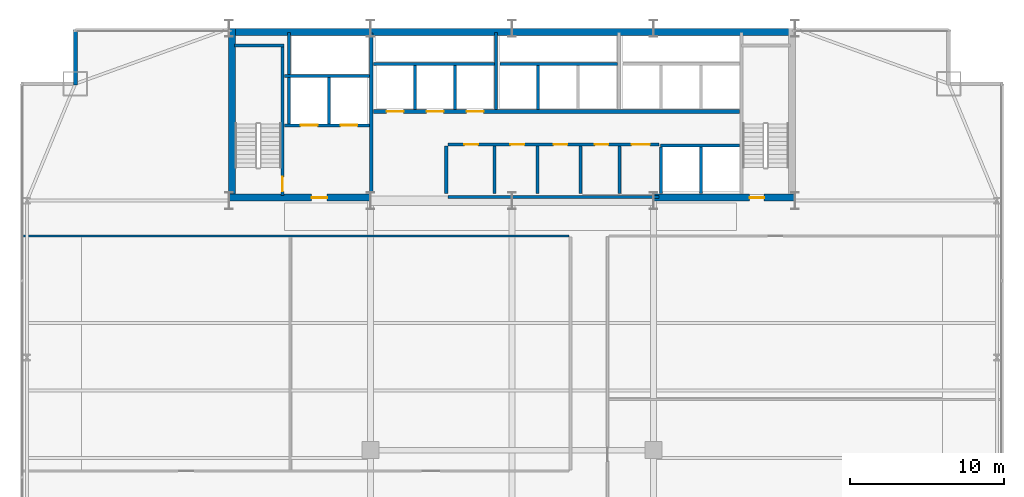
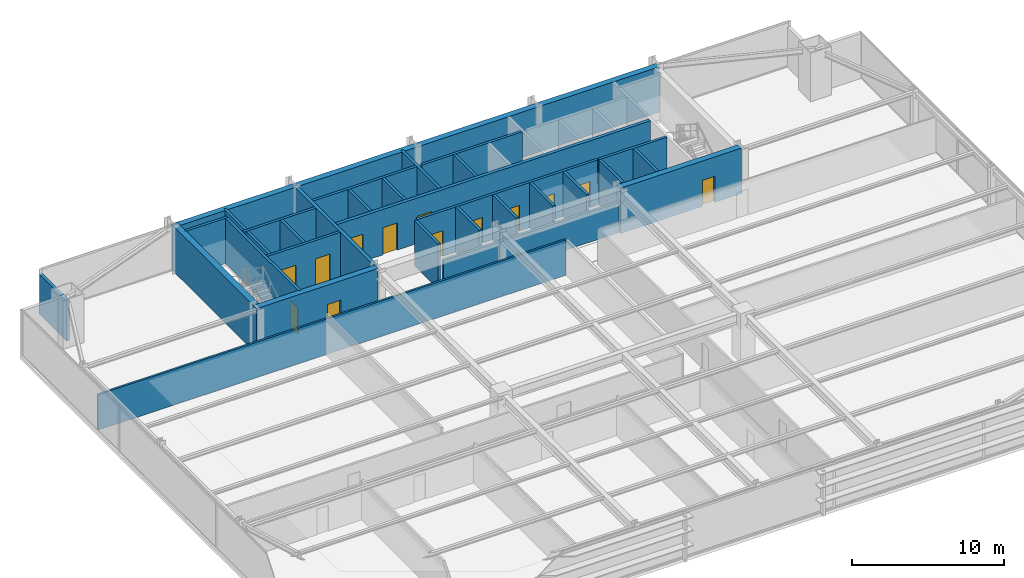
# One storey, part 27 of 30: 30 walls, 13 doors, 13 openings.
"""IFC4 building model written with IfcOpenShell, lengths in metres."""

from ifc_helpers import new_model, si_unit, direction, frame, frame_2d, origin, place, context, subcontext, project, spatial, rectangle, extrude, source, transform, mapped, material, layer, layer_set, type_object, type_shapes, element, fill, save


model = new_model("IFC4")

# Units and contexts
model_context = context("Model", 3, precision=1e-05, world=origin(), true_north=direction((0.0, 1.0)))
body_context = subcontext(model_context, "Body", "Model", "MODEL_VIEW")
ifc_project = project(units=[si_unit("LENGTHUNIT", "METRE"), si_unit("AREAUNIT", "SQUARE_METRE"), si_unit("VOLUMEUNIT", "CUBIC_METRE"), si_unit("PLANEANGLEUNIT", "RADIAN"), si_unit("MASSUNIT", "GRAM", prefix="KILO")], contexts=[model_context])

# Site, building, storey
site_placement = place(None, origin())
site = spatial("IfcSite", under=ifc_project, at=site_placement, CompositionType="ELEMENT")
building_placement = place(site_placement, origin())
building = spatial("IfcBuilding", under=site, at=building_placement, Name="Varnel Quay Broadcast Tower", CompositionType="ELEMENT")
storey_placement = place(building_placement, frame((0.0, 0.0, 62.699951171875)))
storey = spatial("IfcBuildingStorey", under=building, at=storey_placement, Name="L14", CompositionType="ELEMENT", Elevation=62.699951171875)

# Wall, opening, door
ifc_material_1 = material(Name="Concrete CSA A23.3 C50/60", Category="concrete")
ifc_layer_1 = layer(ifc_material_1, 0.199951171875, Name="Concrete CSA A23.3 C50/60")
ifc_layer_set_1 = layer_set([ifc_layer_1], Name="Concrete CSA A23.3 C50/60")
wall_type_1 = type_object("IfcWallType", Name="Wall_CoreShaftShear200", PredefinedType="SHEAR", material=ifc_layer_set_1)
wall_1_placement = place(storey_placement, frame((19.080078125, 35.949951171875, 0.0), z_axis=(0.0, 0.0, 1.0), x_axis=(0.0, 1.0, 0.0)))
wall_1 = element("IfcWall", 1, at=wall_1_placement, inside=storey, type_object=wall_type_1, Name="L14 Stair 1 East Structural Wall", PredefinedType="SHEAR", context=body_context, shape_type="SweptSolid", body=[
    extrude(rectangle(XDim=9.650146484375, YDim=0.199951171875, at=frame_2d((4.8251953125, 0.0))), origin(), (0.0, 0.0, 1.0), 3.650146484375),
])
opening_1_placement = place(wall_1_placement, frame((0.25, 0.0, 0.0)))
opening_1 = element("IfcOpeningElement", 2, at=opening_1_placement, cuts=wall_1, Name="Opening D-L14-S1", PredefinedType="OPENING", context=body_context, shape_type="SweptSolid", body=[
    extrude(rectangle(XDim=0.949951171875, YDim=2.10009765625, at=frame_2d((0.47509765625, 1.050048828125))), frame((0.0, 0.10986328125, 0.0), z_axis=(0.0, -1.0, 0.0), x_axis=(1.0, 0.0, 0.0)), (0.0, 0.0, 1.0), 0.219970703125),
])
ifc_material_2 = material(Name="Insulated Fire-Rated Hollow Steel Door", Category="steel")
door_type_1 = type_object("IfcDoorType", Name="Door_FireStair950", OperationType="NOTDEFINED", PredefinedType="DOOR", material=ifc_material_2)
shared_shape_1 = source(origin(), body_context, "Body", "SweptSolid", [
    extrude(rectangle(XDim=0.949951171875, YDim=2.10009765625, at=frame_2d((0.47509765625, 1.050048828125))), frame((0.0, 0.02490234375, 0.0), z_axis=(0.0, -1.0, 0.0), x_axis=(1.0, 0.0, 0.0)), (0.0, 0.0, 1.0), 0.050048828125),
])
type_shapes(door_type_1, [shared_shape_1])
door_1_placement = place(opening_1_placement, origin())
door_1 = element("IfcDoor", 3, at=door_1_placement, inside=storey, type_object=door_type_1, Name="L14 Stair 1 Fire Door", OperationType="SINGLE_SWING_LEFT", OverallHeight=2.10009765625, OverallWidth=0.949951171875, PredefinedType="DOOR", context=body_context, shape_type="MappedRepresentation", body=[
    mapped(shared_shape_1, transform((0.0, 0.0, 0.0), x_axis=(1.0, 0.0, 0.0), y_axis=(0.0, 1.0, 0.0), z_axis=(0.0, 0.0, 1.0), scale=1.0)),
])
fill(opening_1, door_1)

# Wall
wall_2_placement = place(storey_placement, frame((15.949951171875, 45.679931640625, 0.0), z_axis=(0.0, 0.0, 1.0), x_axis=(1.0, 0.0, 0.0)))
element("IfcWall", 4, at=wall_2_placement, inside=storey, type_object=wall_type_1, Name="L14 Stair 1 North Structural Wall", PredefinedType="SHEAR", context=body_context, shape_type="SweptSolid", body=[
    extrude(rectangle(XDim=3.22998046875, YDim=0.199951171875, at=frame_2d((1.614990234375, 0.0))), origin(), (0.0, 0.0, 1.0), 3.650146484375),
])

# Wall, openings, doors
wall_3_placement = place(storey_placement, frame((19.199951171875, 40.5, 0.0), z_axis=(0.0, 0.0, 1.0), x_axis=(1.0, 0.0, 0.0)))
wall_3 = element("IfcWall", 5, at=wall_3_placement, inside=storey, type_object=wall_type_1, Name="L14 Firefighter Lift Shaft Front Wall", PredefinedType="SHEAR", context=body_context, shape_type="SweptSolid", body=[
    extrude(rectangle(XDim=5.52001953125, YDim=0.199951171875, at=frame_2d((2.760009765625, 0.0))), origin(), (0.0, 0.0, 1.0), 3.650146484375),
])
opening_2_placement = place(wall_3_placement, frame((1.050048828125, 0.0, 0.0)))
opening_2 = element("IfcOpeningElement", 6, at=opening_2_placement, cuts=wall_3, Name="Opening LD-L14-FE1", PredefinedType="OPENING", context=body_context, shape_type="SweptSolid", body=[
    extrude(rectangle(XDim=1.10009765625, YDim=2.179931640625, at=frame_2d((0.550048828125, 1.08984375))), frame((0.0, 0.10986328125, 0.0), z_axis=(0.0, -1.0, 0.0), x_axis=(1.0, 0.0, 0.0)), (0.0, 0.0, 1.0), 0.219970703125),
])
opening_3_placement = place(wall_3_placement, frame((3.64990234375, 0.0, 0.0)))
opening_3 = element("IfcOpeningElement", 7, at=opening_3_placement, cuts=wall_3, Name="Opening LD-L14-FE2", PredefinedType="OPENING", context=body_context, shape_type="SweptSolid", body=[
    extrude(rectangle(XDim=1.10009765625, YDim=2.179931640625, at=frame_2d((0.550048828125, 1.08984375))), frame((0.0, 0.10986328125, 0.0), z_axis=(0.0, -1.0, 0.0), x_axis=(1.0, 0.0, 0.0)), (0.0, 0.0, 1.0), 0.219970703125),
])
ifc_material_3 = material(Name="Brushed Bronze-Stainless Lift Car & Sliding Doors", Category="steel")
door_type_2 = type_object("IfcDoorType", Name="Door_LiftLanding1100", OperationType="SLIDING_TO_LEFT", PredefinedType="DOOR", material=ifc_material_3)
shared_shape_2 = source(origin(), body_context, "Body", "SweptSolid", [
    extrude(rectangle(XDim=1.10009765625, YDim=2.179931640625, at=frame_2d((0.550048828125, 1.08984375))), frame((0.0, 0.02490234375, 0.0), z_axis=(0.0, -1.0, 0.0), x_axis=(1.0, 0.0, 0.0)), (0.0, 0.0, 1.0), 0.050048828125),
])
type_shapes(door_type_2, [shared_shape_2])
door_2_placement = place(opening_2_placement, frame((1.10009765625, 0.0, 0.0), z_axis=(0.0, 0.0, 1.0), x_axis=(-1.0, 0.0, 0.0)))
door_2 = element("IfcDoor", 8, at=door_2_placement, inside=storey, type_object=door_type_2, Name="L14 Firefighter Lift FE-01 Landing Door", OperationType="SLIDING_TO_LEFT", OverallHeight=2.179931640625, OverallWidth=1.10009765625, PredefinedType="DOOR", context=body_context, shape_type="MappedRepresentation", body=[
    mapped(shared_shape_2, transform((0.0, 0.0, 0.0), x_axis=(1.0, 0.0, 0.0), y_axis=(0.0, 1.0, 0.0), z_axis=(0.0, 0.0, 1.0), scale=1.0)),
])
fill(opening_2, door_2)
door_3_placement = place(opening_3_placement, frame((1.10009765625, 0.0, 0.0), z_axis=(0.0, 0.0, 1.0), x_axis=(-1.0, 0.0, 0.0)))
door_3 = element("IfcDoor", 9, at=door_3_placement, inside=storey, type_object=door_type_2, Name="L14 Firefighter Lift FE-02 Landing Door", OperationType="SLIDING_TO_RIGHT", OverallHeight=2.179931640625, OverallWidth=1.10009765625, PredefinedType="DOOR", context=body_context, shape_type="MappedRepresentation", body=[
    mapped(shared_shape_2, transform((0.0, 0.0, 0.0), x_axis=(1.0, 0.0, 0.0), y_axis=(0.0, 1.0, 0.0), z_axis=(0.0, 0.0, 1.0), scale=1.0)),
])
fill(opening_3, door_3)

# Walls
wall_4_placement = place(storey_placement, frame((19.199951171875, 43.699951171875, 0.0), z_axis=(0.0, 0.0, 1.0), x_axis=(1.0, 0.0, 0.0)))
element("IfcWall", 10, at=wall_4_placement, inside=storey, type_object=wall_type_1, Name="L14 Firefighter Lift Shaft Rear Wall", PredefinedType="SHEAR", context=body_context, shape_type="SweptSolid", body=[
    extrude(rectangle(XDim=5.52001953125, YDim=0.199951171875, at=frame_2d((2.760009765625, 0.0))), origin(), (0.0, 0.0, 1.0), 3.650146484375),
])
wall_5_placement = place(storey_placement, frame((22.10009765625, 40.60009765625, 0.0), z_axis=(0.0, 0.0, 1.0), x_axis=(0.0, 1.0, 0.0)))
element("IfcWall", 11, at=wall_5_placement, inside=storey, type_object=wall_type_1, Name="L14 Firefighter Lift Shaft Divider", PredefinedType="SHEAR", context=body_context, shape_type="SweptSolid", body=[
    extrude(rectangle(XDim=3.0, YDim=0.199951171875, at=frame_2d((1.5, 0.0))), origin(), (0.0, 0.0, 1.0), 3.650146484375),
])
wall_6_placement = place(storey_placement, frame((19.5, 40.60009765625, 0.0), z_axis=(0.0, 0.0, 1.0), x_axis=(0.0, 1.0, 0.0)))
element("IfcWall", 12, at=wall_6_placement, inside=storey, type_object=wall_type_1, Name="L14 Firefighter Lift Shaft West Wall", PredefinedType="SHEAR", context=body_context, shape_type="SweptSolid", body=[
    extrude(rectangle(XDim=5.949951171875, YDim=0.199951171875, at=frame_2d((2.97509765625, 0.0))), origin(), (0.0, 0.0, 1.0), 3.650146484375),
])
wall_7_placement = place(storey_placement, frame((24.97998046875, 44.5, 0.0), z_axis=(0.0, 0.0, 1.0), x_axis=(1.0, 0.0, 0.0)))
element("IfcWall", 13, at=wall_7_placement, inside=storey, type_object=wall_type_1, Name="L14 Low-Rise Lift Shaft Rear Wall", PredefinedType="SHEAR", context=body_context, shape_type="SweptSolid", body=[
    extrude(rectangle(XDim=7.8701171875, YDim=0.199951171875, at=frame_2d((3.93505859375, 0.0))), origin(), (0.0, 0.0, 1.0), 3.650146484375),
])
for number, where, z_axis, x_axis, name in (
    (14, (27.699951171875, 41.530029296875, 0.0), (0.0, 0.0, 1.0), (0.0, 1.0, 0.0), "L14 Low-Rise Lift Shaft Divider 1"),
    (15, (30.300048828125, 41.530029296875, 0.0), (0.0, 0.0, 1.0), (0.0, 1.0, 0.0), "L14 Low-Rise Lift Shaft Divider 2"),
):
    element("IfcWall", number, at=place(storey_placement, frame(where, z_axis=z_axis, x_axis=x_axis)), inside=storey, type_object=wall_type_1, Name=name, PredefinedType="SHEAR", context=body_context, shape_type="SweptSolid", body=[
        extrude(rectangle(XDim=2.869873046875, YDim=0.199951171875, at=frame_2d((1.43505859375, 0.0))), origin(), (0.0, 0.0, 1.0), 3.650146484375),
    ])
wall_8_placement = place(storey_placement, frame((32.949951171875, 41.530029296875, 0.0), z_axis=(0.0, 0.0, 1.0), x_axis=(0.0, 1.0, 0.0)))
element("IfcWall", 16, at=wall_8_placement, inside=storey, type_object=wall_type_1, Name="L14 Low-Rise Lift Shaft Divider 3", PredefinedType="SHEAR", context=body_context, shape_type="SweptSolid", body=[
    extrude(rectangle(XDim=5.02001953125, YDim=0.199951171875, at=frame_2d((2.510009765625, 0.0))), origin(), (0.0, 0.0, 1.0), 3.650146484375),
])
wall_9_placement = place(storey_placement, frame((33.219970703125, 44.5, 0.0), z_axis=(0.0, 0.0, 1.0), x_axis=(1.0, 0.0, 0.0)))
element("IfcWall", 17, at=wall_9_placement, inside=storey, type_object=wall_type_1, Name="L14 Mid-Rise Lift Shaft Rear Wall", PredefinedType="SHEAR", context=body_context, shape_type="SweptSolid", body=[
    extrude(rectangle(XDim=7.630126953125, YDim=0.199951171875, at=frame_2d((3.81494140625, 0.0))), origin(), (0.0, 0.0, 1.0), 3.650146484375),
])
wall_10_placement = place(storey_placement, frame((35.699951171875, 41.530029296875, 0.0), z_axis=(0.0, 0.0, 1.0), x_axis=(0.0, 1.0, 0.0)))
element("IfcWall", 18, at=wall_10_placement, inside=storey, type_object=wall_type_1, Name="L14 Mid-Rise Lift Shaft Divider 2", PredefinedType="SHEAR", context=body_context, shape_type="SweptSolid", body=[
    extrude(rectangle(XDim=2.869873046875, YDim=0.199951171875, at=frame_2d((1.43505859375, 0.0))), origin(), (0.0, 0.0, 1.0), 3.650146484375),
])
for number, where, z_axis, x_axis, name in (
    (19, (43.699951171875, 36.050048828125, 0.0), (0.0, 0.0, 1.0), (0.0, 1.0, 0.0), "L14 Express Lift Shaft West Wall"),
    (20, (46.300048828125, 36.050048828125, 0.0), (0.0, 0.0, 1.0), (0.0, 1.0, 0.0), "L14 Express Lift Shaft Divider"),
):
    element("IfcWall", number, at=place(storey_placement, frame(where, z_axis=z_axis, x_axis=x_axis)), inside=storey, type_object=wall_type_1, Name=name, PredefinedType="SHEAR", context=body_context, shape_type="SweptSolid", body=[
        extrude(rectangle(XDim=3.050048828125, YDim=0.199951171875, at=frame_2d((1.52490234375, 0.0))), origin(), (0.0, 0.0, 1.0), 3.650146484375),
    ])
wall_11_placement = place(storey_placement, frame((43.64990234375, 39.199951171875, 0.0), z_axis=(0.0, 0.0, 1.0), x_axis=(1.0, 0.0, 0.0)))
element("IfcWall", 21, at=wall_11_placement, inside=storey, type_object=wall_type_1, Name="L14 Express Lift Shaft North Front Wall", PredefinedType="SHEAR", context=body_context, shape_type="SweptSolid", body=[
    extrude(rectangle(XDim=5.150146484375, YDim=0.199951171875, at=frame_2d((2.5751953125, 0.0))), origin(), (0.0, 0.0, 1.0), 3.650146484375),
])
ifc_layer_2 = layer(ifc_material_1, 0.25, Name="Concrete CSA A23.3 C50/60")
ifc_layer_set_2 = layer_set([ifc_layer_2], Name="Concrete CSA A23.3 C50/60")
wall_type_2 = type_object("IfcWallType", Name="Wall_CoreShaftShear250", PredefinedType="SHEAR", material=ifc_layer_set_2)
wall_12_placement = place(storey_placement, frame((24.85009765625, 36.050048828125, 0.0), z_axis=(0.0, 0.0, 1.0), x_axis=(0.0, 1.0, 0.0)))
element("IfcWall", 22, at=wall_12_placement, inside=storey, type_object=wall_type_2, Name="L14 Firefighting Lobby East Structural Wall", PredefinedType="SHEAR", context=body_context, shape_type="SweptSolid", body=[
    extrude(rectangle(XDim=10.449951171875, YDim=0.25, at=frame_2d((5.22509765625, 0.0))), origin(), (0.0, 0.0, 1.0), 3.650146484375),
])

# Wall, openings, doors
wall_13_placement = place(storey_placement, frame((24.97998046875, 41.39990234375, 0.0), z_axis=(0.0, 0.0, 1.0), x_axis=(1.0, 0.0, 0.0)))
wall_13 = element("IfcWall", 23, at=wall_13_placement, inside=storey, type_object=wall_type_2, Name="L14 North Lift Bank & Reclaimed Suite Wall", PredefinedType="SHEAR", context=body_context, shape_type="SweptSolid", body=[
    extrude(rectangle(XDim=23.820068359375, YDim=0.25, at=frame_2d((11.91015625, 0.0))), origin(), (0.0, 0.0, 1.0), 3.650146484375),
])
opening_4_placement = place(wall_13_placement, frame((0.8701171875, 0.0, 0.0)))
opening_4 = element("IfcOpeningElement", 24, at=opening_4_placement, cuts=wall_13, Name="Opening LD-L14-PL-01", PredefinedType="OPENING", context=body_context, shape_type="SweptSolid", body=[
    extrude(rectangle(XDim=1.10009765625, YDim=2.179931640625, at=frame_2d((0.550048828125, 1.08984375))), frame((0.0, 0.135009765625, 0.0), z_axis=(0.0, -1.0, 0.0), x_axis=(1.0, 0.0, 0.0)), (0.0, 0.0, 1.0), 0.27001953125),
])
opening_5_placement = place(wall_13_placement, frame((3.469970703125, 0.0, 0.0)))
opening_5 = element("IfcOpeningElement", 25, at=opening_5_placement, cuts=wall_13, Name="Opening LD-L14-PL-02", PredefinedType="OPENING", context=body_context, shape_type="SweptSolid", body=[
    extrude(rectangle(XDim=1.10009765625, YDim=2.179931640625, at=frame_2d((0.550048828125, 1.08984375))), frame((0.0, 0.135009765625, 0.0), z_axis=(0.0, -1.0, 0.0), x_axis=(1.0, 0.0, 0.0)), (0.0, 0.0, 1.0), 0.27001953125),
])
opening_6_placement = place(wall_13_placement, frame((6.070068359375, 0.0, 0.0)))
opening_6 = element("IfcOpeningElement", 26, at=opening_6_placement, cuts=wall_13, Name="Opening LD-L14-PL-03", PredefinedType="OPENING", context=body_context, shape_type="SweptSolid", body=[
    extrude(rectangle(XDim=1.10009765625, YDim=2.179931640625, at=frame_2d((0.550048828125, 1.08984375))), frame((0.0, 0.135009765625, 0.0), z_axis=(0.0, -1.0, 0.0), x_axis=(1.0, 0.0, 0.0)), (0.0, 0.0, 1.0), 0.27001953125),
])
door_4_placement = place(opening_4_placement, frame((1.10009765625, 0.0, 0.0), z_axis=(0.0, 0.0, 1.0), x_axis=(-1.0, 0.0, 0.0)))
door_4 = element("IfcDoor", 27, at=door_4_placement, inside=storey, type_object=door_type_2, Name="L14 Lift PL-01 Landing Door", OperationType="SLIDING_TO_LEFT", OverallHeight=2.179931640625, OverallWidth=1.10009765625, PredefinedType="DOOR", context=body_context, shape_type="MappedRepresentation", body=[
    mapped(shared_shape_2, transform((0.0, 0.0, 0.0), x_axis=(1.0, 0.0, 0.0), y_axis=(0.0, 1.0, 0.0), z_axis=(0.0, 0.0, 1.0), scale=1.0)),
])
fill(opening_4, door_4)
door_5_placement = place(opening_5_placement, frame((1.10009765625, 0.0, 0.0), z_axis=(0.0, 0.0, 1.0), x_axis=(-1.0, 0.0, 0.0)))
door_5 = element("IfcDoor", 28, at=door_5_placement, inside=storey, type_object=door_type_2, Name="L14 Lift PL-02 Landing Door", OperationType="SLIDING_TO_LEFT", OverallHeight=2.179931640625, OverallWidth=1.10009765625, PredefinedType="DOOR", context=body_context, shape_type="MappedRepresentation", body=[
    mapped(shared_shape_2, transform((0.0, 0.0, 0.0), x_axis=(1.0, 0.0, 0.0), y_axis=(0.0, 1.0, 0.0), z_axis=(0.0, 0.0, 1.0), scale=1.0)),
])
fill(opening_5, door_5)
door_6_placement = place(opening_6_placement, frame((1.10009765625, 0.0, 0.0), z_axis=(0.0, 0.0, 1.0), x_axis=(-1.0, 0.0, 0.0)))
door_6 = element("IfcDoor", 29, at=door_6_placement, inside=storey, type_object=door_type_2, Name="L14 Lift PL-03 Landing Door", OperationType="SLIDING_TO_LEFT", OverallHeight=2.179931640625, OverallWidth=1.10009765625, PredefinedType="DOOR", context=body_context, shape_type="MappedRepresentation", body=[
    mapped(shared_shape_2, transform((0.0, 0.0, 0.0), x_axis=(1.0, 0.0, 0.0), y_axis=(0.0, 1.0, 0.0), z_axis=(0.0, 0.0, 1.0), scale=1.0)),
])
fill(opening_6, door_6)

# Walls
ifc_material_4 = material(Name="Concrete CSA A23.3 C60/75", Category="concrete")
ifc_layer_3 = layer(ifc_material_4, 0.449951171875, Name="Concrete CSA A23.3 C60/75")
ifc_layer_set_3 = layer_set([ifc_layer_3], Name="Concrete CSA A23.3 C60/75")
wall_type_3 = type_object("IfcWallType", Name="Wall_CoreShearExt450", PredefinedType="SHEAR", material=ifc_layer_set_3)
wall_14_placement = place(storey_placement, frame((15.60009765625, 46.574951171875, 0.0), z_axis=(0.0, 0.0, 1.0), x_axis=(1.0, 0.0, 0.0)))
element("IfcWall", 30, at=wall_14_placement, inside=storey, type_object=wall_type_3, Name="L14 North Core Shear Wall", PredefinedType="SHEAR", context=body_context, shape_type="SweptSolid", body=[
    extrude(rectangle(XDim=36.7998046875, YDim=0.449951171875, at=frame_2d((18.39990234375, 0.0))), origin(), (0.0, 0.0, 1.0), 3.650146484375),
])
ifc_layer_4 = layer(ifc_material_4, 0.449951171875, Name="Concrete CSA A23.3 C60/75")
ifc_layer_set_4 = layer_set([ifc_layer_4], Name="Concrete CSA A23.3 C60/75")
wall_type_4 = type_object("IfcWallType", Name="Wall_CoreShearInt450", PredefinedType="SHEAR", material=ifc_layer_set_4)
wall_15_placement = place(storey_placement, frame((15.794921875, 35.570068359375, 0.0), z_axis=(0.0, 0.0, 1.0), x_axis=(0.0, 1.0, 0.0)))
element("IfcWall", 31, at=wall_15_placement, inside=storey, type_object=wall_type_4, Name="L14 West Core Shear Wall", PredefinedType="SHEAR", context=body_context, shape_type="SweptSolid", body=[
    extrude(rectangle(XDim=11.22998046875, YDim=0.449951171875, at=frame_2d((5.614990234375, 0.0))), origin(), (0.0, 0.0, 1.0), 3.650146484375),
])

# Wall, opening, door
wall_16_placement = place(storey_placement, frame((15.570068359375, 35.794921875, 0.0), z_axis=(0.0, 0.0, 1.0), x_axis=(1.0, 0.0, 0.0)))
wall_16 = element("IfcWall", 32, at=wall_16_placement, inside=storey, type_object=wall_type_4, Name="L14 South-West Core Shear Wall", PredefinedType="SHEAR", context=body_context, shape_type="SweptSolid", body=[
    extrude(rectangle(XDim=9.22998046875, YDim=0.449951171875, at=frame_2d((4.614990234375, 0.0))), origin(), (0.0, 0.0, 1.0), 3.650146484375),
])
opening_7_placement = place(wall_16_placement, frame((5.39990234375, 0.0, 0.0)))
opening_7 = element("IfcOpeningElement", 33, at=opening_7_placement, cuts=wall_16, Name="Opening D-L14-FFL", PredefinedType="OPENING", context=body_context, shape_type="SweptSolid", body=[
    extrude(rectangle(XDim=1.0, YDim=2.10009765625, at=frame_2d((0.5, 1.050048828125))), frame((0.0, 0.23486328125, 0.0), z_axis=(0.0, -1.0, 0.0), x_axis=(1.0, 0.0, 0.0)), (0.0, 0.0, 1.0), 0.469970703125),
])
door_type_3 = type_object("IfcDoorType", Name="Door_FireLobby1000", OperationType="NOTDEFINED", PredefinedType="DOOR", material=ifc_material_2)
shared_shape_3 = source(origin(), body_context, "Body", "SweptSolid", [
    extrude(rectangle(XDim=1.0, YDim=2.10009765625, at=frame_2d((0.5, 1.050048828125))), frame((0.0, 0.02490234375, 0.0), z_axis=(0.0, -1.0, 0.0), x_axis=(1.0, 0.0, 0.0)), (0.0, 0.0, 1.0), 0.050048828125),
])
type_shapes(door_type_3, [shared_shape_3])
door_7_placement = place(opening_7_placement, origin())
door_7 = element("IfcDoor", 34, at=door_7_placement, inside=storey, type_object=door_type_3, Name="L14 Firefighting Lobby Door", OperationType="SINGLE_SWING_RIGHT", OverallHeight=2.10009765625, OverallWidth=1.0, PredefinedType="DOOR", context=body_context, shape_type="MappedRepresentation", body=[
    mapped(shared_shape_3, transform((0.0, 0.0, 0.0), x_axis=(1.0, 0.0, 0.0), y_axis=(0.0, 1.0, 0.0), z_axis=(0.0, 0.0, 1.0), scale=1.0)),
])
fill(opening_7, door_7)

wall_17_placement = place(storey_placement, frame((43.199951171875, 35.794921875, 0.0), z_axis=(0.0, 0.0, 1.0), x_axis=(1.0, 0.0, 0.0)))
wall_17 = element("IfcWall", 35, at=wall_17_placement, inside=storey, type_object=wall_type_4, Name="L14 South-East Core Shear Wall", PredefinedType="SHEAR", context=body_context, shape_type="SweptSolid", body=[
    extrude(rectangle(XDim=9.22998046875, YDim=0.449951171875, at=frame_2d((4.614990234375, 0.0))), origin(), (0.0, 0.0, 1.0), 3.650146484375),
])
opening_8_placement = place(wall_17_placement, frame((6.25, 0.0, 0.0)))
opening_8 = element("IfcOpeningElement", 36, at=opening_8_placement, cuts=wall_17, Name="Opening D-L14-S2", PredefinedType="OPENING", context=body_context, shape_type="SweptSolid", body=[
    extrude(rectangle(XDim=0.949951171875, YDim=2.10009765625, at=frame_2d((0.47509765625, 1.050048828125))), frame((0.0, 0.23486328125, 0.0), z_axis=(0.0, -1.0, 0.0), x_axis=(1.0, 0.0, 0.0)), (0.0, 0.0, 1.0), 0.469970703125),
])
door_8_placement = place(opening_8_placement, origin())
door_8 = element("IfcDoor", 37, at=door_8_placement, inside=storey, type_object=door_type_1, Name="L14 Stair 2 Fire Door", OperationType="SINGLE_SWING_LEFT", OverallHeight=2.10009765625, OverallWidth=0.949951171875, PredefinedType="DOOR", context=body_context, shape_type="MappedRepresentation", body=[
    mapped(shared_shape_1, transform((0.0, 0.0, 0.0), x_axis=(1.0, 0.0, 0.0), y_axis=(0.0, 1.0, 0.0), z_axis=(0.0, 0.0, 1.0), scale=1.0)),
])
fill(opening_8, door_8)

# Walls
ifc_material_5 = material(Name="Precast Architectural Concrete C40/50", Category="concrete")
ifc_layer_5 = layer(ifc_material_5, 0.25, Name="Precast Architectural Concrete C40/50")
ifc_layer_set_5 = layer_set([ifc_layer_5], Name="Precast Architectural Concrete C40/50")
wall_type_5 = type_object("IfcWallType", Name="Wall_ExtTerrace250", PredefinedType="SOLIDWALL", material=ifc_layer_set_5)
wall_18_placement = place(storey_placement, frame((5.60009765625, 43.1201171875, 0.0), z_axis=(0.0, 0.0, 1.0), x_axis=(0.0, 1.0, 0.0)))
element("IfcWall", 38, at=wall_18_placement, inside=storey, type_object=wall_type_5, Name="L14 Mega-Column Notch Cladding Wall NNW2", PredefinedType="SOLIDWALL", context=body_context, shape_type="SweptSolid", body=[
    extrude(rectangle(XDim=3.599853515625, YDim=0.25, at=frame_2d((1.7998046875, 0.0))), origin(), (0.0, 0.0, 1.0), 3.2080078125),
])
ifc_material_6 = material(Name="Concrete Blockwork Fire Enclosure C40/50", Category="masonry")
ifc_layer_6 = layer(ifc_material_6, 0.199951171875, Name="Concrete Blockwork Fire Enclosure C40/50")
ifc_layer_set_6 = layer_set([ifc_layer_6], Name="Concrete Blockwork Fire Enclosure C40/50")
wall_type_6 = type_object("IfcWallType", Name="Wall_FireShaft200", PredefinedType="SOLIDWALL", material=ifc_layer_set_6)
wall_19_placement = place(storey_placement, frame((29.85009765625, 35.824951171875, 0.0), z_axis=(0.0, 0.0, 1.0), x_axis=(1.0, 0.0, 0.0)))
element("IfcWall", 39, at=wall_19_placement, inside=storey, type_object=wall_type_6, Name="L14 Accessible Washroom Partition 1", PredefinedType="SOLIDWALL", context=body_context, shape_type="SweptSolid", body=[
    extrude(rectangle(XDim=13.699951171875, YDim=0.199951171875, at=frame_2d((6.85009765625, 0.0))), origin(), (0.0, 0.0, 1.0), 2.425048828125),
])

# Wall, openings, doors
wall_20_placement = place(storey_placement, frame((29.85009765625, 39.25, 0.0), z_axis=(0.0, 0.0, 1.0), x_axis=(1.0, 0.0, 0.0)))
wall_20 = element("IfcWall", 40, at=wall_20_placement, inside=storey, type_object=wall_type_6, Name="L14 Accessible Washroom Partition 3", PredefinedType="SOLIDWALL", context=body_context, shape_type="SweptSolid", body=[
    extrude(rectangle(XDim=13.699951171875, YDim=0.199951171875, at=frame_2d((6.85009765625, 0.0))), origin(), (0.0, 0.0, 1.0), 3.630126953125),
])
opening_9_placement = place(wall_20_placement, frame((1.050048828125, 0.0, 0.0)))
opening_9 = element("IfcOpeningElement", 41, at=opening_9_placement, cuts=wall_20, Name="Opening D-L14-01", PredefinedType="OPENING", context=body_context, shape_type="SweptSolid", body=[
    extrude(rectangle(XDim=0.89990234375, YDim=2.06005859375, at=frame_2d((0.449951171875, 1.030029296875))), frame((0.0, 0.10986328125, 0.0), z_axis=(0.0, -1.0, 0.0), x_axis=(1.0, 0.0, 0.0)), (0.0, 0.0, 1.0), 0.219970703125),
])
opening_10_placement = place(wall_20_placement, frame((4.050048828125, 0.0, 0.0)))
opening_10 = element("IfcOpeningElement", 42, at=opening_10_placement, cuts=wall_20, Name="Opening D-L14-02", PredefinedType="OPENING", context=body_context, shape_type="SweptSolid", body=[
    extrude(rectangle(XDim=0.89990234375, YDim=2.06005859375, at=frame_2d((0.449951171875, 1.030029296875))), frame((0.0, 0.10986328125, 0.0), z_axis=(0.0, -1.0, 0.0), x_axis=(1.0, 0.0, 0.0)), (0.0, 0.0, 1.0), 0.219970703125),
])
opening_11_placement = place(wall_20_placement, frame((6.85009765625, 0.0, 0.0)))
opening_11 = element("IfcOpeningElement", 43, at=opening_11_placement, cuts=wall_20, Name="Opening D-L14-03", PredefinedType="OPENING", context=body_context, shape_type="SweptSolid", body=[
    extrude(rectangle(XDim=0.89990234375, YDim=2.06005859375, at=frame_2d((0.449951171875, 1.030029296875))), frame((0.0, 0.10986328125, 0.0), z_axis=(0.0, -1.0, 0.0), x_axis=(1.0, 0.0, 0.0)), (0.0, 0.0, 1.0), 0.219970703125),
])
opening_12_placement = place(wall_20_placement, frame((9.534912109375, 0.0, 0.0)))
opening_12 = element("IfcOpeningElement", 44, at=opening_12_placement, cuts=wall_20, Name="Opening D-L14-04", PredefinedType="OPENING", context=body_context, shape_type="SweptSolid", body=[
    extrude(rectangle(XDim=0.8798828125, YDim=2.06005859375, at=frame_2d((0.43994140625, 1.030029296875))), frame((0.0, 0.10986328125, 0.0), z_axis=(0.0, -1.0, 0.0), x_axis=(1.0, 0.0, 0.0)), (0.0, 0.0, 1.0), 0.219970703125),
])
opening_13_placement = place(wall_20_placement, frame((11.925048828125, 0.0, 0.0)))
opening_13 = element("IfcOpeningElement", 45, at=opening_13_placement, cuts=wall_20, Name="Opening D-L14-05", PredefinedType="OPENING", context=body_context, shape_type="SweptSolid", body=[
    extrude(rectangle(XDim=1.199951171875, YDim=2.10009765625, at=frame_2d((0.60009765625, 1.050048828125))), frame((0.0, 0.10986328125, 0.0), z_axis=(0.0, -1.0, 0.0), x_axis=(1.0, 0.0, 0.0)), (0.0, 0.0, 1.0), 0.219970703125),
])
ifc_material_7 = material(Name="Solid-Core Fire-Rated Acoustic Oak Veneer Door", Category="wood")
door_type_4 = type_object("IfcDoorType", Name="Door_Washroom900", OperationType="NOTDEFINED", PredefinedType="DOOR", material=ifc_material_7)
shared_shape_4 = source(origin(), body_context, "Body", "SweptSolid", [
    extrude(rectangle(XDim=0.89990234375, YDim=2.06005859375, at=frame_2d((0.449951171875, 1.030029296875))), frame((0.0, 0.02490234375, 0.0), z_axis=(0.0, -1.0, 0.0), x_axis=(1.0, 0.0, 0.0)), (0.0, 0.0, 1.0), 0.050048828125),
])
type_shapes(door_type_4, [shared_shape_4])
door_9_placement = place(opening_9_placement, frame((0.89990234375, 0.0, 0.0), z_axis=(0.0, 0.0, 1.0), x_axis=(-1.0, 0.0, 0.0)))
door_9 = element("IfcDoor", 46, at=door_9_placement, inside=storey, type_object=door_type_4, Name="L14 Accessible Washroom Door D-L14-01", OperationType="SINGLE_SWING_RIGHT", OverallHeight=2.06005859375, OverallWidth=0.89990234375, PredefinedType="DOOR", context=body_context, shape_type="MappedRepresentation", body=[
    mapped(shared_shape_4, transform((0.0, 0.0, 0.0), x_axis=(1.0, 0.0, 0.0), y_axis=(0.0, 1.0, 0.0), z_axis=(0.0, 0.0, 1.0), scale=1.0)),
])
fill(opening_9, door_9)
door_10_placement = place(opening_10_placement, frame((0.89990234375, 0.0, 0.0), z_axis=(0.0, 0.0, 1.0), x_axis=(-1.0, 0.0, 0.0)))
door_10 = element("IfcDoor", 47, at=door_10_placement, inside=storey, type_object=door_type_4, Name="L14 West Gender-Neutral Washroom Door D-L14-02", OperationType="SINGLE_SWING_LEFT", OverallHeight=2.06005859375, OverallWidth=0.89990234375, PredefinedType="DOOR", context=body_context, shape_type="MappedRepresentation", body=[
    mapped(shared_shape_4, transform((0.0, 0.0, 0.0), x_axis=(1.0, 0.0, 0.0), y_axis=(0.0, 1.0, 0.0), z_axis=(0.0, 0.0, 1.0), scale=1.0)),
])
fill(opening_10, door_10)
door_11_placement = place(opening_11_placement, frame((0.89990234375, 0.0, 0.0), z_axis=(0.0, 0.0, 1.0), x_axis=(-1.0, 0.0, 0.0)))
door_11 = element("IfcDoor", 48, at=door_11_placement, inside=storey, type_object=door_type_4, Name="L14 East Staff Washroom Door D-L14-03", OperationType="SINGLE_SWING_RIGHT", OverallHeight=2.06005859375, OverallWidth=0.89990234375, PredefinedType="DOOR", context=body_context, shape_type="MappedRepresentation", body=[
    mapped(shared_shape_4, transform((0.0, 0.0, 0.0), x_axis=(1.0, 0.0, 0.0), y_axis=(0.0, 1.0, 0.0), z_axis=(0.0, 0.0, 1.0), scale=1.0)),
])
fill(opening_11, door_11)
door_type_5 = type_object("IfcDoorType", Name="Door_Plant1200", OperationType="NOTDEFINED", PredefinedType="DOOR", material=ifc_material_2)
shared_shape_5 = source(origin(), body_context, "Body", "SweptSolid", [
    extrude(rectangle(XDim=1.199951171875, YDim=2.10009765625, at=frame_2d((0.60009765625, 1.050048828125))), frame((0.0, 0.02490234375, 0.0), z_axis=(0.0, -1.0, 0.0), x_axis=(1.0, 0.0, 0.0)), (0.0, 0.0, 1.0), 0.050048828125),
])
type_shapes(door_type_5, [shared_shape_5])
door_12_placement = place(opening_13_placement, origin())
door_12 = element("IfcDoor", 49, at=door_12_placement, inside=storey, type_object=door_type_5, Name="L14 Telecom IDF Closet Door D-L14-05", OperationType="SINGLE_SWING_RIGHT", OverallHeight=2.10009765625, OverallWidth=1.199951171875, PredefinedType="DOOR", context=body_context, shape_type="MappedRepresentation", body=[
    mapped(shared_shape_5, transform((0.0, 0.0, 0.0), x_axis=(1.0, 0.0, 0.0), y_axis=(0.0, 1.0, 0.0), z_axis=(0.0, 0.0, 1.0), scale=1.0)),
])
fill(opening_13, door_12)
door_type_6 = type_object("IfcDoorType", Name="Door_Booth880", OperationType="NOTDEFINED", PredefinedType="DOOR", material=ifc_material_7)
shared_shape_6 = source(origin(), body_context, "Body", "SweptSolid", [
    extrude(rectangle(XDim=0.8798828125, YDim=2.06005859375, at=frame_2d((0.43994140625, 1.030029296875))), frame((0.0, 0.02490234375, 0.0), z_axis=(0.0, -1.0, 0.0), x_axis=(1.0, 0.0, 0.0)), (0.0, 0.0, 1.0), 0.050048828125),
])
type_shapes(door_type_6, [shared_shape_6])
door_13_placement = place(opening_12_placement, frame((0.8798828125, 0.0, 0.0), z_axis=(0.0, 0.0, 1.0), x_axis=(-1.0, 0.0, 0.0)))
door_13 = element("IfcDoor", 50, at=door_13_placement, inside=storey, type_object=door_type_6, Name="L14 Cleaners' & Linen Store Door D-L14-04", OperationType="SINGLE_SWING_LEFT", OverallHeight=2.06005859375, OverallWidth=0.8798828125, PredefinedType="DOOR", context=body_context, shape_type="MappedRepresentation", body=[
    mapped(shared_shape_6, transform((0.0, 0.0, 0.0), x_axis=(1.0, 0.0, 0.0), y_axis=(0.0, 1.0, 0.0), z_axis=(0.0, 0.0, 1.0), scale=1.0)),
])
fill(opening_12, door_13)

# Walls
wall_21_placement = place(storey_placement, frame((41.0, 36.050048828125, 0.0), z_axis=(0.0, 0.0, 1.0), x_axis=(0.0, 1.0, 0.0)))
element("IfcWall", 51, at=wall_21_placement, inside=storey, type_object=wall_type_6, Name="L14 Cleaners' & Linen Store Partition 7", PredefinedType="SOLIDWALL", context=body_context, shape_type="SweptSolid", body=[
    extrude(rectangle(XDim=3.099853515625, YDim=0.199951171875, at=frame_2d((1.5498046875, 0.0))), origin(), (0.0, 0.0, 1.0), 3.630126953125),
])
ifc_material_8 = material(Name="Steel-Stud Fire-Rated Acoustic Gypsum Partition Assembly", Category="steel")
ifc_layer_7 = layer(ifc_material_8, 0.14990234375, Name="Steel-Stud Fire-Rated Acoustic Gypsum Partition Assembly")
ifc_layer_set_7 = layer_set([ifc_layer_7], Name="Steel-Stud Fire-Rated Acoustic Gypsum Partition Assembly")
wall_type_7 = type_object("IfcWallType", Name="Wall_Partition150", PredefinedType="PARTITIONING", material=ifc_layer_set_7)
wall_22_placement = place(storey_placement, frame((2.179931640625, 33.300048828125, 0.0), z_axis=(0.0, 0.0, 1.0), x_axis=(1.0, 0.0, 0.0)))
element("IfcWall", 52, at=wall_22_placement, inside=storey, type_object=wall_type_7, Name="L14 Color Timing Suite 5 Partition 15", PredefinedType="PARTITIONING", context=body_context, shape_type="SweptSolid", body=[
    extrude(rectangle(XDim=35.530029296875, YDim=0.14990234375, at=frame_2d((17.76513671875, 0.0))), origin(), (0.0, 0.0, 1.0), 2.85205078125),
])
ifc_material_9 = material(Name="Fire-Rated Moisture-Resistant Plumbing Chase Partition")
ifc_layer_8 = layer(ifc_material_9, 0.199951171875, Name="Fire-Rated Moisture-Resistant Plumbing Chase Partition")
ifc_layer_set_8 = layer_set([ifc_layer_8], Name="Fire-Rated Moisture-Resistant Plumbing Chase Partition")
wall_type_8 = type_object("IfcWallType", Name="Wall_Plumbing200", PredefinedType="PLUMBINGWALL", material=ifc_layer_set_8)
for number, where, z_axis, x_axis, name in (
    (53, (32.85009765625, 36.050048828125, 0.0), (0.0, 0.0, 1.0), (0.0, 1.0, 0.0), "L14 Accessible Washroom Partition 2"),
    (54, (29.72509765625, 36.050048828125, 0.0), (0.0, 0.0, 1.0), (0.0, 1.0, 0.0), "L14 Accessible Washroom Partition 4"),
    (55, (35.64990234375, 36.050048828125, 0.0), (0.0, 0.0, 1.0), (0.0, 1.0, 0.0), "L14 West Gender-Neutral Washroom Partition 5"),
    (56, (38.449951171875, 36.050048828125, 0.0), (0.0, 0.0, 1.0), (0.0, 1.0, 0.0), "L14 East Staff Washroom Partition 6"),
):
    element("IfcWall", number, at=place(storey_placement, frame(where, z_axis=z_axis, x_axis=x_axis)), inside=storey, type_object=wall_type_8, Name=name, PredefinedType="PLUMBINGWALL", context=body_context, shape_type="SweptSolid", body=[
        extrude(rectangle(XDim=3.099853515625, YDim=0.199951171875, at=frame_2d((1.5498046875, 0.0))), origin(), (0.0, 0.0, 1.0), 3.630126953125),
    ])

save(model, "model.ifc")
